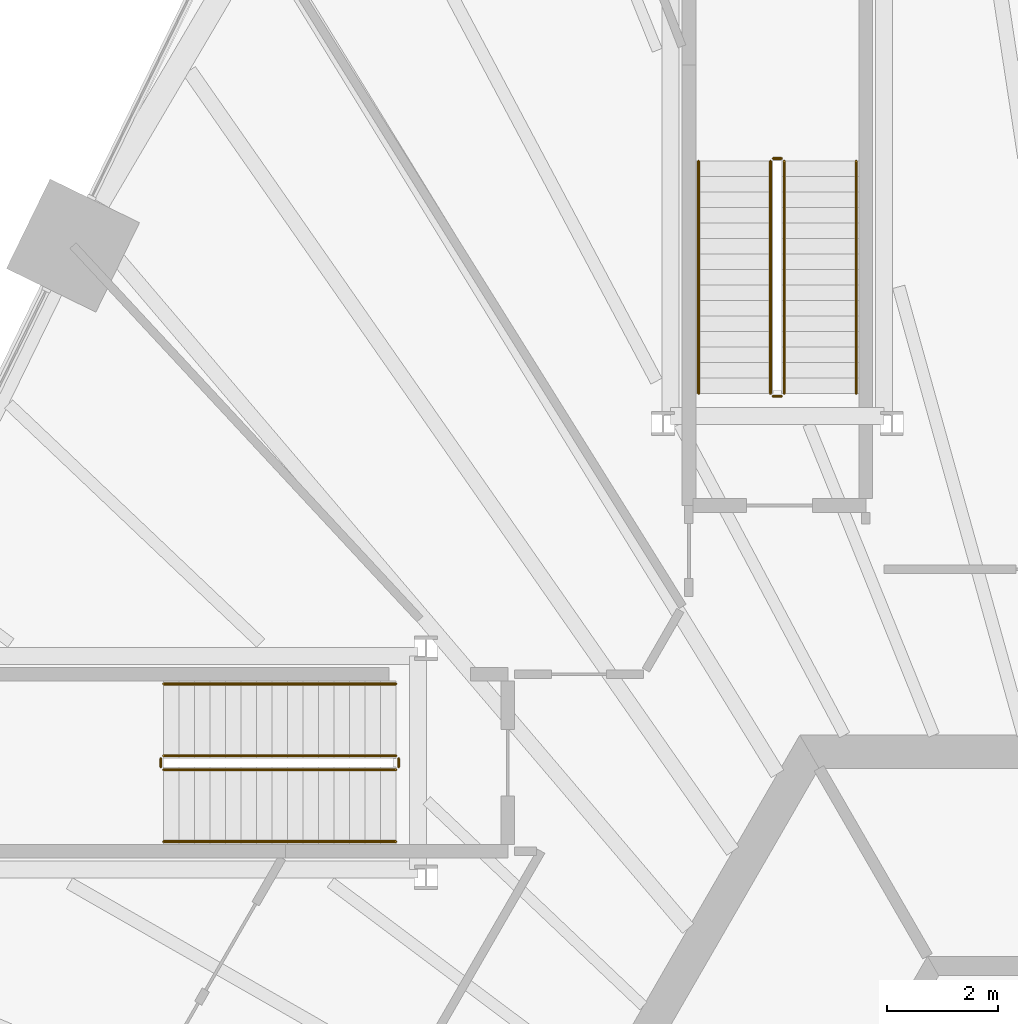
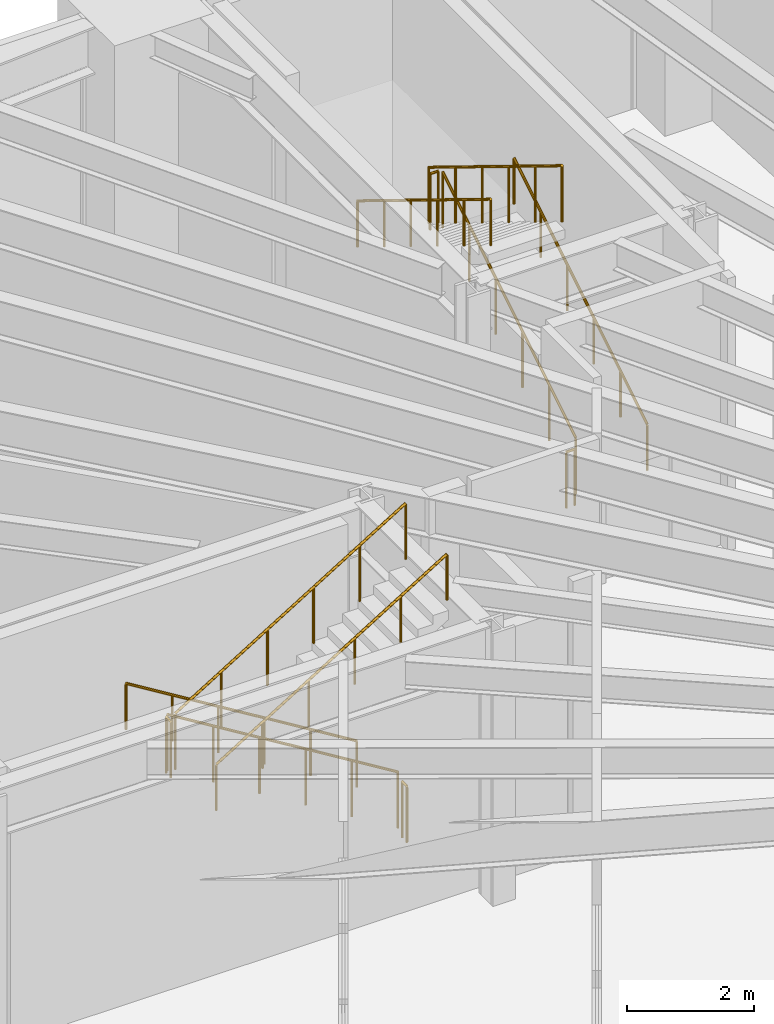
# One storey, part 29 of 30: 12 railings.
"""IFC4 building model written with IfcOpenShell, lengths in metres."""

from ifc_helpers import new_model, si_unit, direction, frame, origin, origin_2d, place, context, subcontext, project, spatial, circle, extrude, material, type_object, element, save


model = new_model("IFC4")

# Units and contexts
model_context = context("Model", 3, precision=1e-05, world=origin(), true_north=direction((0.0, 1.0)))
body_context = subcontext(model_context, "Body", "Model", "MODEL_VIEW")
ifc_project = project(units=[si_unit("LENGTHUNIT", "METRE"), si_unit("AREAUNIT", "SQUARE_METRE"), si_unit("VOLUMEUNIT", "CUBIC_METRE"), si_unit("PLANEANGLEUNIT", "RADIAN"), si_unit("MASSUNIT", "GRAM", prefix="KILO")], contexts=[model_context])

# Site, building, storey
site_placement = place(None, origin())
site = spatial("IfcSite", under=ifc_project, at=site_placement, CompositionType="ELEMENT")
building_placement = place(site_placement, origin())
building = spatial("IfcBuilding", under=site, at=building_placement, Name="Tarnside Tower", CompositionType="ELEMENT")
storey_placement = place(building_placement, frame((0.0, 0.0, 15.0)))
storey = spatial("IfcBuildingStorey", under=building, at=storey_placement, Name="L02", CompositionType="ELEMENT", Elevation=15.0)

# Railings
ifc_material = material(Name="Stainless steel", Category="steel")
railing_type_1 = type_object("IfcRailingType", Name="Podium stair guard 1100", PredefinedType="GUARDRAIL", material=ifc_material)
railing_1_placement = place(storey_placement, frame((-8.36474609375, 20.179931640625, 0.171875)))
element("IfcRailing", 1, at=railing_1_placement, inside=storey, type_object=railing_type_1, Name="L02 PS1 stair guard 1", PredefinedType="GUARDRAIL", context=body_context, shape_type="SweptSolid", body=[
    extrude(circle(Radius=0.02392578125, at=origin_2d()), frame((0.0, 0.0, 1.076171875), z_axis=(0.0, 0.852242915053, 0.523146264196), x_axis=(-1.0, 0.0, 0.0)), (0.0, 0.0, 1.0), 4.92822265625),
    extrude(circle(Radius=0.02099609375, at=origin_2d()), origin(), (0.0, 0.0, 1.0), 1.052001953125),
    extrude(circle(Radius=0.02099609375, at=origin_2d()), frame((0.0, 0.840087890625, 0.515625)), (0.0, 0.0, 1.0), 1.052001953125),
    extrude(circle(Radius=0.02099609375, at=origin_2d()), frame((0.0, 1.679931640625, 1.03125)), (0.0, 0.0, 1.0), 1.052001953125),
    extrude(circle(Radius=0.02099609375, at=origin_2d()), frame((0.0, 2.52001953125, 1.546875)), (0.0, 0.0, 1.0), 1.052001953125),
    extrude(circle(Radius=0.02099609375, at=origin_2d()), frame((0.0, 3.35986328125, 2.0625)), (0.0, 0.0, 1.0), 1.052001953125),
    extrude(circle(Radius=0.02099609375, at=origin_2d()), frame((0.0, 4.199951171875, 2.578125)), (0.0, 0.0, 1.0), 1.052001953125),
])
railing_2_placement = place(storey_placement, frame((-8.414794921875, 24.429931640625, 2.75)))
element("IfcRailing", 2, at=railing_2_placement, inside=storey, type_object=railing_type_1, Name="L02 PS1 stair guard 2", PredefinedType="GUARDRAIL", context=body_context, shape_type="SweptSolid", body=[
    extrude(circle(Radius=0.02392578125, at=origin_2d()), frame((0.0, 0.0, 1.076171875), z_axis=(-1.0, 0.0, 0.0), x_axis=(0.0, -1.0, 0.0)), (0.0, 0.0, 1.0), 0.14990234375),
    extrude(circle(Radius=0.02099609375, at=origin_2d()), origin(), (0.0, 0.0, 1.0), 1.052001953125),
    extrude(circle(Radius=0.02099609375, at=origin_2d()), frame((-0.14990234375, 0.0, 0.0)), (0.0, 0.0, 1.0), 1.052001953125),
])
railing_3_placement = place(storey_placement, frame((-8.61474609375, 24.3798828125, 2.921875)))
element("IfcRailing", 3, at=railing_3_placement, inside=storey, type_object=railing_type_1, Name="L02 PS1 stair guard 3", PredefinedType="GUARDRAIL", context=body_context, shape_type="SweptSolid", body=[
    extrude(circle(Radius=0.02392578125, at=origin_2d()), frame((0.0, 0.0, 1.076171875), z_axis=(0.0, -0.852242915053, 0.523146264196), x_axis=(1.0, 0.0, 0.0)), (0.0, 0.0, 1.0), 4.92822265625),
    extrude(circle(Radius=0.02099609375, at=origin_2d()), origin(), (0.0, 0.0, 1.0), 1.052001953125),
    extrude(circle(Radius=0.02099609375, at=origin_2d()), frame((0.0, -0.840087890625, 0.515625)), (0.0, 0.0, 1.0), 1.052001953125),
    extrude(circle(Radius=0.02099609375, at=origin_2d()), frame((0.0, -1.679931640625, 1.03125)), (0.0, 0.0, 1.0), 1.052001953125),
    extrude(circle(Radius=0.02099609375, at=origin_2d()), frame((0.0, -2.52001953125, 1.546875)), (0.0, 0.0, 1.0), 1.052001953125),
    extrude(circle(Radius=0.02099609375, at=origin_2d()), frame((0.0, -3.35986328125, 2.0625)), (0.0, 0.0, 1.0), 1.052001953125),
    extrude(circle(Radius=0.02099609375, at=origin_2d()), frame((0.0, -4.199951171875, 2.578125)), (0.0, 0.0, 1.0), 1.052001953125),
])
railing_4_placement = place(storey_placement, frame((-8.414794921875, 20.1298828125, 0.0)))
element("IfcRailing", 4, at=railing_4_placement, inside=storey, type_object=railing_type_1, Name="L02 PS1 stair guard 4", PredefinedType="GUARDRAIL", context=body_context, shape_type="SweptSolid", body=[
    extrude(circle(Radius=0.02392578125, at=origin_2d()), frame((0.0, 0.0, 1.076171875), z_axis=(-1.0, 0.0, 0.0), x_axis=(0.0, -1.0, 0.0)), (0.0, 0.0, 1.0), 0.14990234375),
    extrude(circle(Radius=0.02099609375, at=origin_2d()), origin(), (0.0, 0.0, 1.0), 1.052001953125),
    extrude(circle(Radius=0.02099609375, at=origin_2d()), frame((-0.14990234375, 0.0, 0.0)), (0.0, 0.0, 1.0), 1.052001953125),
])
railing_5_placement = place(storey_placement, frame((-15.389892578125, 13.625, 0.171875)))
element("IfcRailing", 5, at=railing_5_placement, inside=storey, type_object=railing_type_1, Name="L02 PS6 stair guard 1", PredefinedType="GUARDRAIL", context=body_context, shape_type="SweptSolid", body=[
    extrude(circle(Radius=0.02392578125, at=origin_2d()), frame((0.0, 0.0, 1.076171875), z_axis=(-0.852256472501, 0.0, 0.523124177495), x_axis=(0.0, -1.0, 0.0)), (0.0, 0.0, 1.0), 4.92822265625),
    extrude(circle(Radius=0.02099609375, at=origin_2d()), origin(), (0.0, 0.0, 1.0), 1.052001953125),
    extrude(circle(Radius=0.02099609375, at=origin_2d()), frame((-0.840087890625, 0.0, 0.515625)), (0.0, 0.0, 1.0), 1.052001953125),
    extrude(circle(Radius=0.02099609375, at=origin_2d()), frame((-1.68017578125, 0.0, 1.03125)), (0.0, 0.0, 1.0), 1.052001953125),
    extrude(circle(Radius=0.02099609375, at=origin_2d()), frame((-2.52001953125, 0.0, 1.546875)), (0.0, 0.0, 1.0), 1.052001953125),
    extrude(circle(Radius=0.02099609375, at=origin_2d()), frame((-3.360107421875, 0.0, 2.0625)), (0.0, 0.0, 1.0), 1.052001953125),
    extrude(circle(Radius=0.02099609375, at=origin_2d()), frame((-4.2001953125, 0.0, 2.578125)), (0.0, 0.0, 1.0), 1.052001953125),
])
railing_6_placement = place(storey_placement, frame((-19.639892578125, 13.574951171875, 2.75)))
element("IfcRailing", 6, at=railing_6_placement, inside=storey, type_object=railing_type_1, Name="L02 PS6 stair guard 2", PredefinedType="GUARDRAIL", context=body_context, shape_type="SweptSolid", body=[
    extrude(circle(Radius=0.02392578125, at=origin_2d()), frame((0.0, 0.0, 1.076171875), z_axis=(0.0, -1.0, 0.0), x_axis=(1.0, 0.0, 0.0)), (0.0, 0.0, 1.0), 0.14990234375),
    extrude(circle(Radius=0.02099609375, at=origin_2d()), origin(), (0.0, 0.0, 1.0), 1.052001953125),
    extrude(circle(Radius=0.02099609375, at=origin_2d()), frame((0.0, -0.14990234375, 0.0)), (0.0, 0.0, 1.0), 1.052001953125),
])
railing_7_placement = place(storey_placement, frame((-19.590087890625, 13.375, 2.921875)))
element("IfcRailing", 7, at=railing_7_placement, inside=storey, type_object=railing_type_1, Name="L02 PS6 stair guard 3", PredefinedType="GUARDRAIL", context=body_context, shape_type="SweptSolid", body=[
    extrude(circle(Radius=0.02392578125, at=origin_2d()), frame((0.0, 0.0, 1.076171875), z_axis=(0.852256472501, 0.0, 0.523124177495), x_axis=(0.0, 1.0, 0.0)), (0.0, 0.0, 1.0), 4.92822265625),
    extrude(circle(Radius=0.02099609375, at=origin_2d()), origin(), (0.0, 0.0, 1.0), 1.052001953125),
    extrude(circle(Radius=0.02099609375, at=origin_2d()), frame((0.840087890625, 0.0, 0.515625)), (0.0, 0.0, 1.0), 1.052001953125),
    extrude(circle(Radius=0.02099609375, at=origin_2d()), frame((1.68017578125, 0.0, 1.03125)), (0.0, 0.0, 1.0), 1.052001953125),
    extrude(circle(Radius=0.02099609375, at=origin_2d()), frame((2.52001953125, 0.0, 1.546875)), (0.0, 0.0, 1.0), 1.052001953125),
    extrude(circle(Radius=0.02099609375, at=origin_2d()), frame((3.360107421875, 0.0, 2.0625)), (0.0, 0.0, 1.0), 1.052001953125),
    extrude(circle(Radius=0.02099609375, at=origin_2d()), frame((4.2001953125, 0.0, 2.578125)), (0.0, 0.0, 1.0), 1.052001953125),
])
railing_8_placement = place(storey_placement, frame((-15.340087890625, 13.574951171875, 0.0)))
element("IfcRailing", 8, at=railing_8_placement, inside=storey, type_object=railing_type_1, Name="L02 PS6 stair guard 4", PredefinedType="GUARDRAIL", context=body_context, shape_type="SweptSolid", body=[
    extrude(circle(Radius=0.02392578125, at=origin_2d()), frame((0.0, 0.0, 1.076171875), z_axis=(0.0, -1.0, 0.0), x_axis=(1.0, 0.0, 0.0)), (0.0, 0.0, 1.0), 0.14990234375),
    extrude(circle(Radius=0.02099609375, at=origin_2d()), origin(), (0.0, 0.0, 1.0), 1.052001953125),
    extrude(circle(Radius=0.02099609375, at=origin_2d()), frame((0.0, -0.14990234375, 0.0)), (0.0, 0.0, 1.0), 1.052001953125),
])
railing_type_2 = type_object("IfcRailingType", Name="Podium stair handrail 900", PredefinedType="HANDRAIL", material=ifc_material)
railing_9_placement = place(storey_placement, frame((-7.064697265625, 20.179931640625, 0.171875)))
element("IfcRailing", 9, at=railing_9_placement, inside=storey, type_object=railing_type_2, Name="L02 PS1 stair handrail 1", PredefinedType="HANDRAIL", context=body_context, shape_type="SweptSolid", body=[
    extrude(circle(Radius=0.02392578125, at=origin_2d()), frame((0.0, 0.0, 0.8857421875), z_axis=(0.0, 0.852242915053, 0.523146264196), x_axis=(-1.0, 0.0, 0.0)), (0.0, 0.0, 1.0), 4.92822265625),
    extrude(circle(Radius=0.02099609375, at=origin_2d()), origin(), (0.0, 0.0, 1.0), 0.86181640625),
    extrude(circle(Radius=0.02099609375, at=origin_2d()), frame((0.0, 0.840087890625, 0.515625)), (0.0, 0.0, 1.0), 0.86181640625),
    extrude(circle(Radius=0.02099609375, at=origin_2d()), frame((0.0, 1.679931640625, 1.03125)), (0.0, 0.0, 1.0), 0.86181640625),
    extrude(circle(Radius=0.02099609375, at=origin_2d()), frame((0.0, 2.52001953125, 1.546875)), (0.0, 0.0, 1.0), 0.86181640625),
    extrude(circle(Radius=0.02099609375, at=origin_2d()), frame((0.0, 3.35986328125, 2.0625)), (0.0, 0.0, 1.0), 0.86181640625),
    extrude(circle(Radius=0.02099609375, at=origin_2d()), frame((0.0, 4.199951171875, 2.578125)), (0.0, 0.0, 1.0), 0.86181640625),
])
railing_10_placement = place(storey_placement, frame((-9.914794921875, 24.3798828125, 2.921875)))
element("IfcRailing", 10, at=railing_10_placement, inside=storey, type_object=railing_type_2, Name="L02 PS1 stair handrail 2", PredefinedType="HANDRAIL", context=body_context, shape_type="SweptSolid", body=[
    extrude(circle(Radius=0.02392578125, at=origin_2d()), frame((0.0, 0.0, 0.8857421875), z_axis=(0.0, -0.852242915053, 0.523146264196), x_axis=(1.0, 0.0, 0.0)), (0.0, 0.0, 1.0), 4.92822265625),
    extrude(circle(Radius=0.02099609375, at=origin_2d()), origin(), (0.0, 0.0, 1.0), 0.86181640625),
    extrude(circle(Radius=0.02099609375, at=origin_2d()), frame((0.0, -0.840087890625, 0.515625)), (0.0, 0.0, 1.0), 0.86181640625),
    extrude(circle(Radius=0.02099609375, at=origin_2d()), frame((0.0, -1.679931640625, 1.03125)), (0.0, 0.0, 1.0), 0.86181640625),
    extrude(circle(Radius=0.02099609375, at=origin_2d()), frame((0.0, -2.52001953125, 1.546875)), (0.0, 0.0, 1.0), 0.86181640625),
    extrude(circle(Radius=0.02099609375, at=origin_2d()), frame((0.0, -3.35986328125, 2.0625)), (0.0, 0.0, 1.0), 0.86181640625),
    extrude(circle(Radius=0.02099609375, at=origin_2d()), frame((0.0, -4.199951171875, 2.578125)), (0.0, 0.0, 1.0), 0.86181640625),
])
railing_11_placement = place(storey_placement, frame((-15.389892578125, 14.925048828125, 0.171875)))
element("IfcRailing", 11, at=railing_11_placement, inside=storey, type_object=railing_type_2, Name="L02 PS6 stair handrail 1", PredefinedType="HANDRAIL", context=body_context, shape_type="SweptSolid", body=[
    extrude(circle(Radius=0.02392578125, at=origin_2d()), frame((0.0, 0.0, 0.8857421875), z_axis=(-0.852256472501, 0.0, 0.523124177495), x_axis=(0.0, -1.0, 0.0)), (0.0, 0.0, 1.0), 4.92822265625),
    extrude(circle(Radius=0.02099609375, at=origin_2d()), origin(), (0.0, 0.0, 1.0), 0.86181640625),
    extrude(circle(Radius=0.02099609375, at=origin_2d()), frame((-0.840087890625, 0.0, 0.515625)), (0.0, 0.0, 1.0), 0.86181640625),
    extrude(circle(Radius=0.02099609375, at=origin_2d()), frame((-1.68017578125, 0.0, 1.03125)), (0.0, 0.0, 1.0), 0.86181640625),
    extrude(circle(Radius=0.02099609375, at=origin_2d()), frame((-2.52001953125, 0.0, 1.546875)), (0.0, 0.0, 1.0), 0.86181640625),
    extrude(circle(Radius=0.02099609375, at=origin_2d()), frame((-3.360107421875, 0.0, 2.0625)), (0.0, 0.0, 1.0), 0.86181640625),
    extrude(circle(Radius=0.02099609375, at=origin_2d()), frame((-4.2001953125, 0.0, 2.578125)), (0.0, 0.0, 1.0), 0.86181640625),
])
railing_12_placement = place(storey_placement, frame((-19.590087890625, 12.074951171875, 2.921875)))
element("IfcRailing", 12, at=railing_12_placement, inside=storey, type_object=railing_type_2, Name="L02 PS6 stair handrail 2", PredefinedType="HANDRAIL", context=body_context, shape_type="SweptSolid", body=[
    extrude(circle(Radius=0.02392578125, at=origin_2d()), frame((0.0, 0.0, 0.8857421875), z_axis=(0.852256472501, 0.0, 0.523124177495), x_axis=(0.0, 1.0, 0.0)), (0.0, 0.0, 1.0), 4.92822265625),
    extrude(circle(Radius=0.02099609375, at=origin_2d()), origin(), (0.0, 0.0, 1.0), 0.86181640625),
    extrude(circle(Radius=0.02099609375, at=origin_2d()), frame((0.840087890625, 0.0, 0.515625)), (0.0, 0.0, 1.0), 0.86181640625),
    extrude(circle(Radius=0.02099609375, at=origin_2d()), frame((1.68017578125, 0.0, 1.03125)), (0.0, 0.0, 1.0), 0.86181640625),
    extrude(circle(Radius=0.02099609375, at=origin_2d()), frame((2.52001953125, 0.0, 1.546875)), (0.0, 0.0, 1.0), 0.86181640625),
    extrude(circle(Radius=0.02099609375, at=origin_2d()), frame((3.360107421875, 0.0, 2.0625)), (0.0, 0.0, 1.0), 0.86181640625),
    extrude(circle(Radius=0.02099609375, at=origin_2d()), frame((4.2001953125, 0.0, 2.578125)), (0.0, 0.0, 1.0), 0.86181640625),
])

save(model, "model.ifc")
